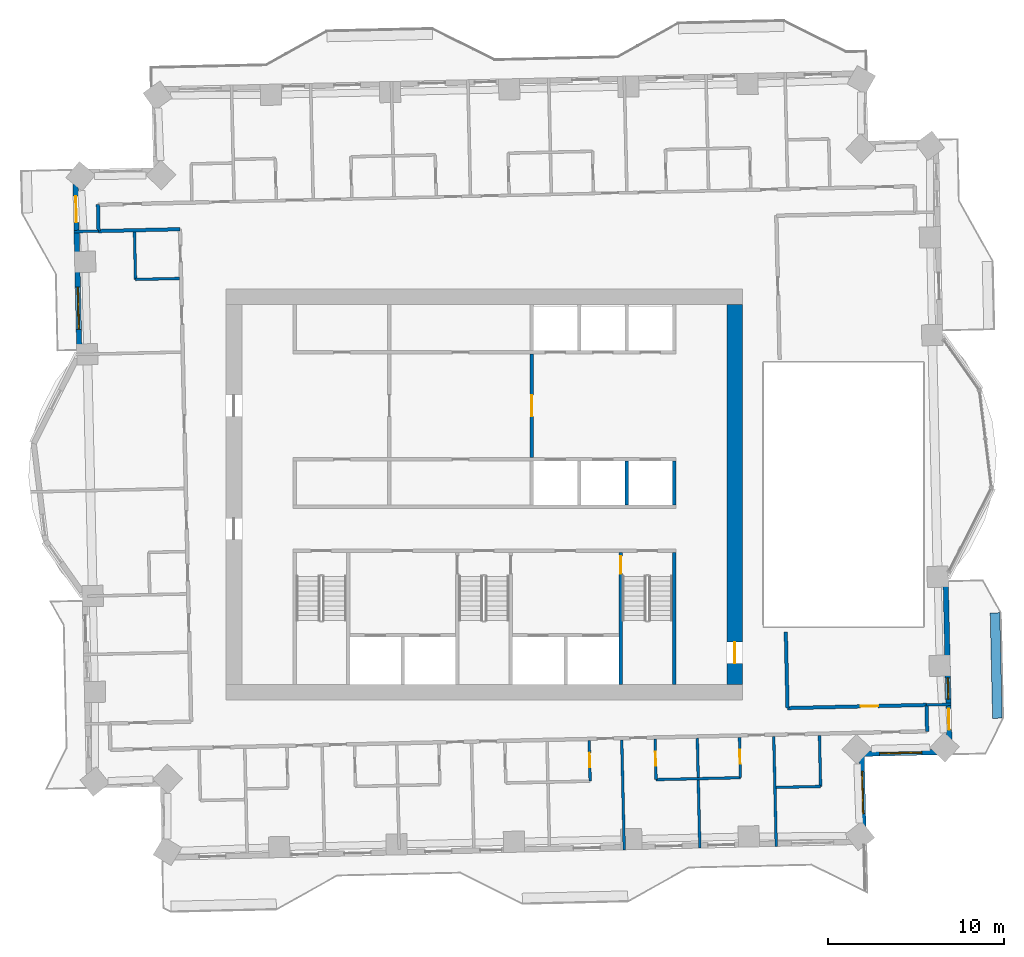
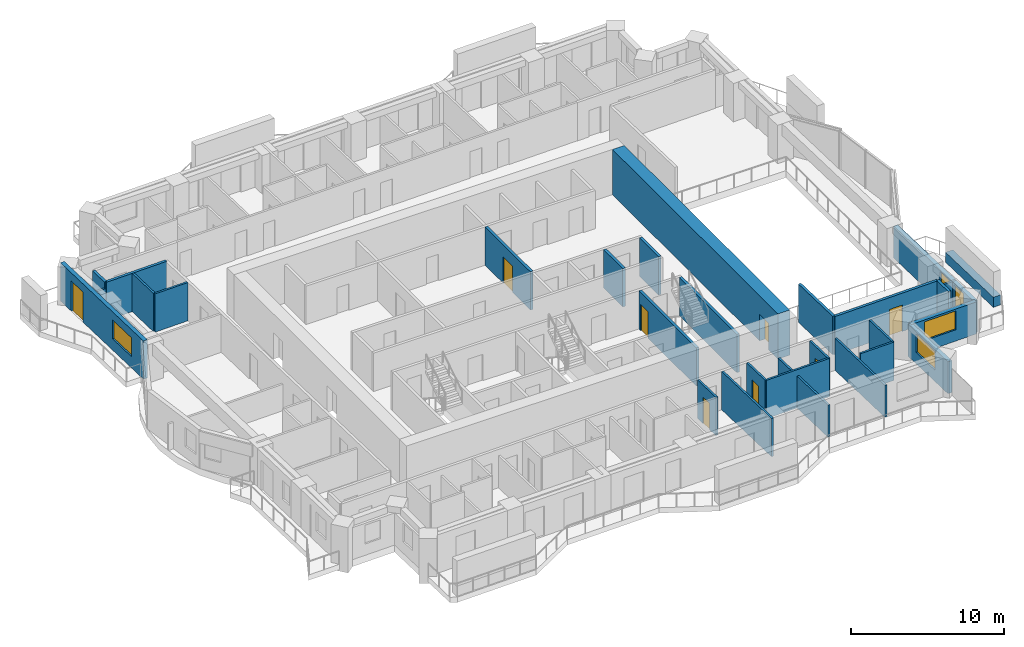
# One storey, part 9 of 16: 29 walls, 9 doors, 4 windows, 13 openings.
"""IFC4 building model written with IfcOpenShell, lengths in metres."""

import ifcopenshell
import ifcopenshell.guid

model = None  # the IFC model being written
_history = None  # IfcOwnerHistory: only IFC2X3 demands one
_inside = {}  # id of a spatial element -> (the spatial element, [elements in it])
_under = {}  # id of a project, library or spatial element -> (it, [spatial elements below it])
_declared = {}  # id of a project -> (the project, [libraries it declares])
_typed = {}  # id of a type object -> (the type object, [elements of that type])
_made_of = {}  # id of a material, layer set ... -> (it, [elements and type objects made of it])


def new_model(schema):
    """Start an empty IFC model of exactly this schema.

    Asked for "IFC4X3", IfcOpenShell would pick the latest addendum, in which some entities
    have other attributes; the version numbers below select the first issue.
    IFC2X3 requires an IfcOwnerHistory on every rooted entity: one is made here for all.
    """
    global model, _history
    if schema == "IFC4X3":
        model = ifcopenshell.file(schema_version=(4, 3, 0, 0))
    else:
        model = ifcopenshell.file(schema=schema)
    _inside.clear()
    _under.clear()
    _declared.clear()
    _typed.clear()
    _made_of.clear()
    _history = None
    if model.schema == "IFC2X3":
        org = make("IfcOrganization", Name="unknown")
        user = make(
            "IfcPersonAndOrganization",
            ThePerson=make("IfcPerson", FamilyName="unknown"),
            TheOrganization=org,
        )
        app = make(
            "IfcApplication",
            ApplicationDeveloper=org,
            Version="unknown",
            ApplicationFullName="unknown",
            ApplicationIdentifier="unknown",
        )
        _history = make(
            "IfcOwnerHistory",
            OwningUser=user,
            OwningApplication=app,
            ChangeAction="ADDED",
            CreationDate=0,
        )
    return model


def make(cls, **values):
    """One entity of the class cls with the attributes given. An attribute that is None is left unset."""
    return model.create_entity(
        cls, **{name: value for name, value in values.items() if value is not None}
    )


def rooted(cls, **values):
    """An entity with a GlobalId (a new one), such as an element, a storey or a relation."""
    return make(cls, GlobalId=ifcopenshell.guid.new(), OwnerHistory=_history, **values)


def si_unit(unit_type, name, prefix=None):
    """IfcSIUnit, for example si_unit("LENGTHUNIT", "METRE", prefix="MILLI")."""
    return make("IfcSIUnit", UnitType=unit_type, Prefix=prefix, Name=name)


def assignment(units):
    """IfcUnitAssignment: the units of a project."""
    return None if units is None else make("IfcUnitAssignment", Units=units)


def point(xyz):
    """IfcCartesianPoint."""
    return None if xyz is None else make("IfcCartesianPoint", Coordinates=xyz)


def direction(xyz):
    """IfcDirection."""
    return None if xyz is None else make("IfcDirection", DirectionRatios=xyz)


def frame(location, z_axis=None, x_axis=None):
    """IfcAxis2Placement3D, a coordinate frame: its origin and axes. An axis left out is left unset."""
    return make(
        "IfcAxis2Placement3D",
        Location=point(location),
        Axis=direction(z_axis),
        RefDirection=direction(x_axis),
    )


def frame_2d(location, x_axis=None):
    """IfcAxis2Placement2D, a coordinate frame in the plane: its origin and x axis."""
    return make(
        "IfcAxis2Placement2D", Location=point(location), RefDirection=direction(x_axis)
    )


def origin():
    """The frame at (0, 0, 0) with its axes left unset."""
    return frame((0.0, 0.0, 0.0))


def place(relative_to, where):
    """IfcLocalPlacement: puts the frame where relative to a parent placement (None: the world)."""
    return make(
        "IfcLocalPlacement", PlacementRelTo=relative_to, RelativePlacement=where
    )


def context(
    kind, dimensions, precision=None, world=None, true_north=None, identifier=None
):
    """IfcGeometricRepresentationContext, for example the 3D "Model" context."""
    return make(
        "IfcGeometricRepresentationContext",
        ContextIdentifier=identifier,
        ContextType=kind,
        CoordinateSpaceDimension=dimensions,
        Precision=precision,
        WorldCoordinateSystem=world,
        TrueNorth=true_north,
    )


def subcontext(parent, identifier, kind, view, scale=None):
    """IfcGeometricRepresentationSubContext, for example "Body" below "Model"."""
    return make(
        "IfcGeometricRepresentationSubContext",
        ContextIdentifier=identifier,
        ContextType=kind,
        ParentContext=parent,
        TargetScale=scale,
        TargetView=view,
    )


def project(units=None, contexts=None):
    """IfcProject with its units and contexts."""
    return rooted(
        "IfcProject",
        Name="project",
        RepresentationContexts=contexts,
        UnitsInContext=assignment(units),
    )


def spatial(cls, under=None, at=None, **own):
    """A site, building, storey or space (cls), placed at a placement, below another one or the project."""
    s = rooted(cls, ObjectPlacement=at, **own)
    if under is not None:
        _under.setdefault(under.id(), (under, []))[1].append(s)
    return s


def profile(cls, at=None, kind="AREA", **sizes):
    """A parametric profile (cls). Its sizes go by their IFC names, for example OverallWidth=200.0."""
    return make(cls, ProfileType=kind, Position=at, **sizes)


def rectangle(**sizes):
    """IfcRectangleProfileDef."""
    return profile("IfcRectangleProfileDef", **sizes)


def extrude(swept, where, along, depth):
    """IfcExtrudedAreaSolid: the profile swept, set in the frame where, extruded along a direction by depth."""
    return make(
        "IfcExtrudedAreaSolid",
        SweptArea=swept,
        Position=where,
        ExtrudedDirection=direction(along),
        Depth=depth,
    )


def shape(context_of_items, identifier, shape_type, items):
    """IfcShapeRepresentation: the items that make up one representation, for example the "Body"."""
    return make(
        "IfcShapeRepresentation",
        ContextOfItems=context_of_items,
        RepresentationIdentifier=identifier,
        RepresentationType=shape_type,
        Items=items,
    )


def material(Name=None, Category=None):
    """IfcMaterial."""
    return make("IfcMaterial", Name=Name, Category=Category)


def layer(
    of_material, thickness, ventilated=None, Name=None, Category=None, Priority=None
):
    """IfcMaterialLayer: one layer of a wall or slab, of a material (None: an air gap)."""
    return make(
        "IfcMaterialLayer",
        Material=of_material,
        LayerThickness=thickness,
        IsVentilated=ventilated,
        Name=Name,
        Category=Category,
        Priority=Priority,
    )


def layer_set(layers, Name=None):
    """IfcMaterialLayerSet."""
    return make("IfcMaterialLayerSet", MaterialLayers=layers, LayerSetName=Name)


def made_of(thing, what):
    """Note that an element or type object is made of a material, layer set ...; save() writes the relation."""
    if what is not None:
        _made_of.setdefault(what.id(), (what, []))[1].append(thing)
    return thing


def type_object(cls, material=None, **own):
    """A type object (cls), such as IfcWallType, which elements share."""
    return made_of(rooted(cls, **own), material)


def element(
    cls,
    number,
    at=None,
    inside=None,
    cuts=None,
    type_object=None,
    material=None,
    context=None,
    identifier="Body",
    shape_type=None,
    held_by="IfcProductDefinitionShape",
    body=None,
    shapes=None,
    **own,
):
    """One element of the class cls, such as IfcWall. Its Tag is "e" and its number.

    at: its placement. inside: the storey or other place that contains it. cuts: it is an
    opening in that element (IfcRelVoidsElement). A single representation is given by context,
    identifier, shape_type and body (its items); several are given by shapes. held_by: the class
    of the entity that holds the representations. save() writes the other relations.
    """
    e = rooted(cls, Tag="e%d" % number, ObjectPlacement=at, **own)
    if body is not None:
        shapes = [shape(context, identifier, shape_type, body)]
    if shapes is not None:
        e.Representation = make(held_by, Representations=shapes)
    if inside is not None:
        _inside.setdefault(inside.id(), (inside, []))[1].append(e)
    if cuts is not None:
        rooted(
            "IfcRelVoidsElement", RelatingBuildingElement=cuts, RelatedOpeningElement=e
        )
    if type_object is not None:
        _typed.setdefault(type_object.id(), (type_object, []))[1].append(e)
    return made_of(e, material)


def fill(opening, filler):
    """IfcRelFillsElement: the door or window that sits in an opening."""
    return rooted(
        "IfcRelFillsElement",
        RelatingOpeningElement=opening,
        RelatedBuildingElement=filler,
    )


def aggregate(whole, parts):
    """IfcRelAggregates: a whole, such as a stair, and the parts it consists of."""
    return rooted("IfcRelAggregates", RelatingObject=whole, RelatedObjects=parts)


def save(model, path):
    """Write the relations noted so far, then the file.

    IfcRelAggregates (storeys below a building ...), IfcRelContainedInSpatialStructure (elements
    in a storey), IfcRelDefinesByType, IfcRelAssociatesMaterial and IfcRelDeclares: one each for
    every whole, place, type object, material and project.
    """
    for whole, parts in _under.values():
        aggregate(whole, parts)
    for where, things in _inside.values():
        rooted(
            "IfcRelContainedInSpatialStructure",
            RelatedElements=things,
            RelatingStructure=where,
        )
    for kind, things in _typed.values():
        rooted("IfcRelDefinesByType", RelatedObjects=things, RelatingType=kind)
    for what, things in _made_of.values():
        rooted("IfcRelAssociatesMaterial", RelatedObjects=things, RelatingMaterial=what)
    for by, libraries in _declared.values():
        rooted("IfcRelDeclares", RelatingContext=by, RelatedDefinitions=libraries)
    model.write(path)


model = new_model("IFC4")

# Units and contexts
model_context = context("Model", 3, precision=1e-05, world=origin(), true_north=direction((0.0, 1.0)))
body_context = subcontext(model_context, "Body", "Model", "MODEL_VIEW")
ifc_project = project(units=[si_unit("LENGTHUNIT", "METRE"), si_unit("AREAUNIT", "SQUARE_METRE"), si_unit("VOLUMEUNIT", "CUBIC_METRE"), si_unit("PLANEANGLEUNIT", "RADIAN"), si_unit("MASSUNIT", "GRAM", prefix="KILO")], contexts=[model_context])

# Site, building, storey
site_placement = place(None, origin())
site = spatial("IfcSite", under=ifc_project, at=site_placement, CompositionType="ELEMENT")
building_placement = place(site_placement, origin())
building = spatial("IfcBuilding", under=site, at=building_placement, Name="Mangrove Gate Tower", CompositionType="ELEMENT")
storey_placement = place(building_placement, frame((0.0, 0.0, 175.300048828125)))
storey = spatial("IfcBuildingStorey", under=building, at=storey_placement, Name="L44", CompositionType="ELEMENT", Elevation=175.300048828125)

# Wall, opening, door
ifc_material_1 = material(Name="Concrete C32/40", Category="concrete")
ifc_layer_1 = layer(ifc_material_1, 0.199951171875)
ifc_layer_set_1 = layer_set([ifc_layer_1], Name="Core lobby wall 200 C32/40")
wall_type_1 = type_object("IfcWallType", Name="Core lobby wall 200 C32/40", PredefinedType="STANDARD", material=ifc_layer_set_1)
wall_1_placement = place(storey_placement, frame((2.699951171875, 2.10009765625, 0.0), z_axis=(0.0, 0.0, 1.0), x_axis=(0.0, 1.0, 0.0)))
wall_1 = element("IfcWall", 1, at=wall_1_placement, inside=storey, type_object=wall_type_1, Name="WALL-L44-CORE-32", PredefinedType="STANDARD", context=body_context, shape_type="SweptSolid", body=[
    extrude(rectangle(XDim=5.89990234375, YDim=0.199951171875, at=frame_2d((2.949951171875, 0.0))), origin(), (0.0, 0.0, 1.0), 3.050048828125),
])
opening_1_placement = place(wall_1_placement, frame((2.35009765625, 0.0, 0.0)))
opening_1 = element("IfcOpeningElement", 2, at=opening_1_placement, cuts=wall_1, Name="Opening FL12", PredefinedType="OPENING", context=body_context, shape_type="SweptSolid", body=[
    extrude(rectangle(XDim=1.199951171875, YDim=2.10009765625, at=frame_2d((0.60009765625, 1.050048828125))), frame((0.0, 0.10986328125, 0.0), z_axis=(0.0, -1.0, 0.0), x_axis=(1.0, 0.0, 0.0)), (0.0, 0.0, 1.0), 0.219970703125),
])
ifc_material_2 = material(Name="Fire-rated steel door set", Category="steel")
door_type_1 = type_object("IfcDoorType", Name="Lobby door FD60 1200x2100", OperationType="SINGLE_SWING_LEFT", PredefinedType="DOOR", material=ifc_material_2)
door_1_placement = place(opening_1_placement, origin())
door_1 = element("IfcDoor", 3, at=door_1_placement, inside=storey, type_object=door_type_1, Name="Lobby door lift lobby partition", OperationType="SINGLE_SWING_LEFT", OverallHeight=2.10009765625, OverallWidth=1.199951171875, PredefinedType="DOOR", context=body_context, shape_type="SweptSolid", body=[
    extrude(rectangle(XDim=1.199951171875, YDim=2.10009765625, at=frame_2d((0.60009765625, 1.050048828125))), frame((0.0, 0.02490234375, 0.0), z_axis=(0.0, -1.0, 0.0), x_axis=(1.0, 0.0, 0.0)), (0.0, 0.0, 1.0), 0.050048828125),
])
fill(opening_1, door_1)

# Walls
ifc_material_3 = material(Name="Concrete C60/75", Category="concrete")
ifc_layer_2 = layer(ifc_material_3, 0.199951171875)
ifc_layer_set_2 = layer_set([ifc_layer_2], Name="Core shaft wall 200 C60/75")
wall_type_2 = type_object("IfcWallType", Name="Core shaft wall 200 C60/75", PredefinedType="SHEAR", material=ifc_layer_set_2)
for number, where, z_axis, x_axis, name in (
    (4, (8.10009765625, -0.60009765625, 0.0), (0.0, 0.0, 1.0), (0.0, 1.0, 0.0), "WALL-L44-CORE-23"),
    (5, (10.800048828125, -0.60009765625, 0.0), (0.0, 0.0, 1.0), (0.0, 1.0, 0.0), "WALL-L44-CORE-24"),
):
    element("IfcWall", number, at=place(storey_placement, frame(where, z_axis=z_axis, x_axis=x_axis)), inside=storey, type_object=wall_type_2, Name=name, PredefinedType="SHEAR", context=body_context, shape_type="SweptSolid", body=[
        extrude(rectangle(XDim=2.5, YDim=0.199951171875, at=frame_2d((1.25, 0.0))), origin(), (0.0, 0.0, 1.0), 3.050048828125),
    ])

# Wall, opening, door
ifc_material_4 = material(Name="Concrete C60/75", Category="concrete")
ifc_layer_3 = layer(ifc_material_4, 0.199951171875)
ifc_layer_set_3 = layer_set([ifc_layer_3], Name="Core stair wall 200 C60/75")
wall_type_3 = type_object("IfcWallType", Name="Core stair wall 200 C60/75", PredefinedType="SHEAR", material=ifc_layer_set_3)
wall_2_placement = place(storey_placement, frame((7.75, -10.800048828125, 0.0), z_axis=(0.0, 0.0, 1.0), x_axis=(0.0, 1.0, 0.0)))
wall_2 = element("IfcWall", 6, at=wall_2_placement, inside=storey, type_object=wall_type_3, Name="WALL-L44-CORE-13", PredefinedType="SHEAR", context=body_context, shape_type="SweptSolid", body=[
    extrude(rectangle(XDim=7.5, YDim=0.199951171875, at=frame_2d((3.75, 0.0))), origin(), (0.0, 0.0, 1.0), 3.050048828125),
])
opening_2_placement = place(wall_2_placement, frame((6.300048828125, 0.0, 0.0)))
opening_2 = element("IfcOpeningElement", 7, at=opening_2_placement, cuts=wall_2, Name="Opening STD10", PredefinedType="OPENING", context=body_context, shape_type="SweptSolid", body=[
    extrude(rectangle(XDim=1.0, YDim=2.10009765625, at=frame_2d((0.5, 1.050048828125))), frame((0.0, 0.10986328125, 0.0), z_axis=(0.0, -1.0, 0.0), x_axis=(1.0, 0.0, 0.0)), (0.0, 0.0, 1.0), 0.219970703125),
])
ifc_material_5 = material(Name="Fire-rated steel door set", Category="steel")
door_type_2 = type_object("IfcDoorType", Name="Stair door FD60 1000x2100", OperationType="SINGLE_SWING_RIGHT", PredefinedType="DOOR", material=ifc_material_5)
door_2_placement = place(opening_2_placement, origin())
door_2 = element("IfcDoor", 8, at=door_2_placement, inside=storey, type_object=door_type_2, Name="Stair door Stair 3 from fire-fighting lobby", OperationType="SINGLE_SWING_RIGHT", OverallHeight=2.10009765625, OverallWidth=1.0, PredefinedType="DOOR", context=body_context, shape_type="SweptSolid", body=[
    extrude(rectangle(XDim=1.0, YDim=2.10009765625, at=frame_2d((0.5, 1.050048828125))), frame((0.0, 0.02490234375, 0.0), z_axis=(0.0, -1.0, 0.0), x_axis=(1.0, 0.0, 0.0)), (0.0, 0.0, 1.0), 0.050048828125),
])
fill(opening_2, door_2)

# Wall
wall_3_placement = place(storey_placement, frame((10.800048828125, -10.800048828125, 0.0), z_axis=(0.0, 0.0, 1.0), x_axis=(0.0, 1.0, 0.0)))
element("IfcWall", 9, at=wall_3_placement, inside=storey, type_object=wall_type_3, Name="WALL-L44-CORE-14", PredefinedType="SHEAR", context=body_context, shape_type="SweptSolid", body=[
    extrude(rectangle(XDim=7.5, YDim=0.199951171875, at=frame_2d((3.75, 0.0))), origin(), (0.0, 0.0, 1.0), 3.050048828125),
])

# Wall, opening, door
ifc_material_6 = material(Name="Concrete C60/75", Category="concrete")
ifc_layer_4 = layer(ifc_material_6, 0.89990234375)
ifc_layer_set_4 = layer_set([ifc_layer_4], Name="Core wall 900 C60/75")
wall_type_4 = type_object("IfcWallType", Name="Core wall 900 C60/75", PredefinedType="SHEAR", material=ifc_layer_set_4)
wall_4_placement = place(storey_placement, frame((14.25, -10.800048828125, 0.0), z_axis=(0.0, 0.0, 1.0), x_axis=(0.0, 1.0, 0.0)))
wall_4 = element("IfcWall", 10, at=wall_4_placement, inside=storey, type_object=wall_type_4, Name="WALL-L44-CORE-4", PredefinedType="SHEAR", context=body_context, shape_type="SweptSolid", body=[
    extrude(rectangle(XDim=21.60009765625, YDim=0.89990234375, at=frame_2d((10.800048828125, 0.0))), origin(), (0.0, 0.0, 1.0), 3.599853515625),
])
opening_3_placement = place(wall_4_placement, frame((1.199951171875, 0.0, 0.0)))
opening_3 = element("IfcOpeningElement", 11, at=opening_3_placement, cuts=wall_4, Name="Opening CD", PredefinedType="OPENING", context=body_context, shape_type="SweptSolid", body=[
    extrude(rectangle(XDim=1.199951171875, YDim=2.10009765625, at=frame_2d((0.60009765625, 1.050048828125))), frame((0.0, 0.4599609375, 0.0), z_axis=(0.0, -1.0, 0.0), x_axis=(1.0, 0.0, 0.0)), (0.0, 0.0, 1.0), 0.919921875),
])
ifc_material_7 = material(Name="Fire-rated steel door set", Category="steel")
door_type_3 = type_object("IfcDoorType", Name="Core ring door FD60 1200x2100", OperationType="DOUBLE_DOOR_SINGLE_SWING", PredefinedType="DOOR", material=ifc_material_7)
door_3_placement = place(opening_3_placement, origin())
door_3 = element("IfcDoor", 12, at=door_3_placement, inside=storey, type_object=door_type_3, Name="Core ring door E1", OperationType="DOUBLE_DOOR_SINGLE_SWING", OverallHeight=2.10009765625, OverallWidth=1.199951171875, PredefinedType="DOOR", context=body_context, shape_type="SweptSolid", body=[
    extrude(rectangle(XDim=1.199951171875, YDim=2.10009765625, at=frame_2d((0.60009765625, 1.050048828125))), frame((0.0, 0.02490234375, 0.0), z_axis=(0.0, -1.0, 0.0), x_axis=(1.0, 0.0, 0.0)), (0.0, 0.0, 1.0), 0.050048828125),
])
fill(opening_3, door_3)

# Walls
ifc_material_8 = material(Name="Gypsum board on steel stud, EI 60", Category="steel")
ifc_layer_5 = layer(ifc_material_8, 0.199951171875)
ifc_layer_set_5 = layer_set([ifc_layer_5], Name="Corridor wall EI 60")
wall_type_5 = type_object("IfcWallType", Name="Corridor wall EI 60", PredefinedType="PARTITIONING", material=ifc_layer_set_5)
wall_5_placement = place(storey_placement, frame((25.18896484375, -13.468994140625, 0.0), z_axis=(0.0, 0.0, 1.0), x_axis=(-0.022617910375, 0.999744182344, 0.0)))
element("IfcWall", 13, at=wall_5_placement, inside=storey, type_object=wall_type_5, Name="WALL-L44-026", PredefinedType="PARTITIONING", context=body_context, shape_type="SweptSolid", body=[
    extrude(rectangle(XDim=1.50048828125, YDim=0.199951171875, at=frame_2d((0.750244140625, 0.0))), origin(), (0.0, 0.0, 1.0), 3.050048828125),
])
wall_6_placement = place(storey_placement, frame((17.2470703125, -12.14892578125, 0.0), z_axis=(0.0, 0.0, 1.0), x_axis=(-0.022729111383, 0.999741660378, 0.0)))
element("IfcWall", 14, at=wall_6_placement, inside=storey, type_object=wall_type_5, Name="WALL-L44-030", PredefinedType="PARTITIONING", context=body_context, shape_type="SweptSolid", body=[
    extrude(rectangle(XDim=4.318115234375, YDim=0.199951171875, at=frame_2d((2.1591796875, 0.0))), origin(), (0.0, 0.0, 1.0), 3.050048828125),
])

# Wall, opening, door
wall_7_placement = place(storey_placement, frame((17.248046875, -12.14892578125, 0.0), z_axis=(0.0, 0.0, 1.0), x_axis=(0.999741181744, 0.022750154412, 0.0)))
wall_7 = element("IfcWall", 15, at=wall_7_placement, inside=storey, type_object=wall_type_5, Name="WALL-L44-031", PredefinedType="PARTITIONING", context=body_context, shape_type="SweptSolid", body=[
    extrude(rectangle(XDim=7.908935546875, YDim=0.199951171875, at=frame_2d((3.95458984375, 0.0))), origin(), (0.0, 0.0, 1.0), 3.050048828125),
])
opening_4_placement = place(wall_7_placement, frame((4.155029296875, 0.0, 0.0)))
opening_4 = element("IfcOpeningElement", 16, at=opening_4_placement, cuts=wall_7, Name="Opening AD", PredefinedType="OPENING", context=body_context, shape_type="SweptSolid", body=[
    extrude(rectangle(XDim=1.0, YDim=2.10009765625, at=frame_2d((0.5, 1.050048828125))), frame((0.0, 0.10986328125, 0.0), z_axis=(0.0, -1.0, 0.0), x_axis=(1.0, 0.0, 0.0)), (0.0, 0.0, 1.0), 0.219970703125),
])
ifc_material_9 = material(Name="Timber door leaf", Category="wood")
door_type_4 = type_object("IfcDoorType", Name="Amenity door 1000", OperationType="SINGLE_SWING_LEFT", PredefinedType="DOOR", material=ifc_material_9)
door_4_placement = place(opening_4_placement, origin())
door_4 = element("IfcDoor", 17, at=door_4_placement, inside=storey, type_object=door_type_4, Name="DOOR-L44-LNG-c3b", OperationType="SINGLE_SWING_LEFT", OverallHeight=2.10009765625, OverallWidth=1.0, PredefinedType="DOOR", context=body_context, shape_type="SweptSolid", body=[
    extrude(rectangle(XDim=1.0, YDim=2.10009765625, at=frame_2d((0.5, 1.050048828125))), frame((0.0, 0.02490234375, 0.0), z_axis=(0.0, -1.0, 0.0), x_axis=(1.0, 0.0, 0.0)), (0.0, 0.0, 1.0), 0.050048828125),
])
fill(opening_4, door_4)

# Walls
wall_8_placement = place(storey_placement, frame((-21.948974609375, 14.989013671875, 0.0), z_axis=(0.0, 0.0, 1.0), x_axis=(0.999743491588, 0.022648422179, 0.0)))
element("IfcWall", 18, at=wall_8_placement, inside=storey, type_object=wall_type_5, Name="WALL-L44-043", PredefinedType="PARTITIONING", context=body_context, shape_type="SweptSolid", body=[
    extrude(rectangle(XDim=4.63525390625, YDim=0.199951171875, at=frame_2d((2.317626953125, 0.0))), origin(), (0.0, 0.0, 1.0), 3.050048828125),
])
wall_9_placement = place(storey_placement, frame((-21.948974609375, 14.992919921875, 0.0), z_axis=(0.0, 0.0, 1.0), x_axis=(-0.022617910375, 0.999744182344, 0.0)))
element("IfcWall", 19, at=wall_9_placement, inside=storey, type_object=wall_type_5, Name="WALL-L44-046", PredefinedType="PARTITIONING", context=body_context, shape_type="SweptSolid", body=[
    extrude(rectangle(XDim=1.50048828125, YDim=0.199951171875, at=frame_2d((0.750244140625, 0.0))), origin(), (0.0, 0.0, 1.0), 3.050048828125),
])

# Wall, openings, door, window
ifc_material_10 = material(Name="Limestone", Category="masonry")
ifc_layer_6 = layer(ifc_material_10, 0.0400390625, Name="Limestone cladding")
ifc_material_11 = material(Name="Ventilated air gap")
ifc_layer_7 = layer(ifc_material_11, 0.0400390625, Name="Ventilated cavity")
ifc_material_12 = material(Name="Mineral wool insulation")
ifc_layer_8 = layer(ifc_material_12, 0.06005859375, Name="Insulation")
ifc_material_13 = material(Name="Breather membrane")
ifc_layer_9 = layer(ifc_material_13, 0.001953125, Name="Breather membrane")
ifc_material_14 = material(Name="Concrete C20/25 blockwork", Category="masonry")
ifc_layer_10 = layer(ifc_material_14, 0.14990234375, Name="Blockwork backing wall")
ifc_material_15 = material(Name="Gypsum plaster")
ifc_layer_11 = layer(ifc_material_15, 0.008056640625, Name="Internal plaster")
ifc_layer_set_6 = layer_set([ifc_layer_6, ifc_layer_7, ifc_layer_8, ifc_layer_9, ifc_layer_10, ifc_layer_11], Name="External wall 300 limestone cladding")
wall_type_6 = type_object("IfcWallType", Name="External wall 300 limestone cladding", PredefinedType="SOLIDWALL", material=ifc_layer_set_6)
wall_10_placement = place(storey_placement, frame((26.466064453125, -14.639892578125, 0.0), z_axis=(0.0, 0.0, 1.0), x_axis=(-0.022735782058, 0.999741508698, 0.0)))
wall_10 = element("IfcWall", 20, at=wall_10_placement, inside=storey, type_object=wall_type_6, Name="WALL-L44-E0", PredefinedType="SOLIDWALL", context=body_context, shape_type="SweptSolid", body=[
    extrude(rectangle(XDim=10.029541015625, YDim=0.300048828125, at=frame_2d((5.0146484375, 0.0))), origin(), (0.0, 0.0, 1.0), 2.550048828125),
])
opening_5_placement = place(wall_10_placement, frame((1.260009765625, 0.0, 0.0)))
opening_5 = element("IfcOpeningElement", 21, at=opening_5_placement, cuts=wall_10, Name="Opening BD2", PredefinedType="OPENING", context=body_context, shape_type="SweptSolid", body=[
    extrude(rectangle(XDim=1.199951171875, YDim=2.39990234375, at=frame_2d((0.60009765625, 1.199951171875))), frame((0.0, 0.159912109375, 0.0), z_axis=(0.0, -1.0, 0.0), x_axis=(1.0, 0.0, 0.0)), (0.0, 0.0, 1.0), 0.320068359375),
])
opening_6_placement = place(wall_10_placement, frame((3.006103515625, 0.0, 0.89990234375)))
opening_6 = element("IfcOpeningElement", 22, at=opening_6_placement, cuts=wall_10, Name="Opening W1", PredefinedType="OPENING", context=body_context, shape_type="SweptSolid", body=[
    extrude(rectangle(XDim=1.199951171875, YDim=1.5, at=frame_2d((0.60009765625, 0.75))), frame((0.0, 0.159912109375, 0.0), z_axis=(0.0, -1.0, 0.0), x_axis=(1.0, 0.0, 0.0)), (0.0, 0.0, 1.0), 0.320068359375),
])
ifc_material_16 = material(Name="Aluminium frame with laminated clear glass", Category="aluminium")
door_type_5 = type_object("IfcDoorType", Name="Balcony sliding door 1200x2400", OperationType="SLIDING_TO_LEFT", PredefinedType="DOOR", material=ifc_material_16)
door_5_placement = place(opening_5_placement, origin())
door_5 = element("IfcDoor", 23, at=door_5_placement, inside=storey, type_object=door_type_5, Name="DOOR-L44-E0-1", OperationType="SLIDING_TO_LEFT", OverallHeight=2.39990234375, OverallWidth=1.199951171875, PredefinedType="DOOR", context=body_context, shape_type="SweptSolid", body=[
    extrude(rectangle(XDim=1.199951171875, YDim=2.39990234375, at=frame_2d((0.60009765625, 1.199951171875))), frame((0.0, 0.02490234375, 0.0), z_axis=(0.0, -1.0, 0.0), x_axis=(1.0, 0.0, 0.0)), (0.0, 0.0, 1.0), 0.050048828125),
])
fill(opening_5, door_5)
ifc_material_17 = material(Name="Aluminium frame with double-glazed low-e glass", Category="aluminium")
window_type_1 = type_object("IfcWindowType", Name="Side lite 1200x1500", PartitioningType="SINGLE_PANEL", PredefinedType="WINDOW", material=ifc_material_17)
window_1_placement = place(opening_6_placement, origin())
window_1 = element("IfcWindow", 24, at=window_1_placement, inside=storey, type_object=window_type_1, Name="WIN-L44-E0-2", OverallHeight=1.5, OverallWidth=1.199951171875, PartitioningType="SINGLE_PANEL", PredefinedType="WINDOW", context=body_context, shape_type="SweptSolid", body=[
    extrude(rectangle(XDim=1.199951171875, YDim=1.5, at=frame_2d((0.60009765625, 0.75))), frame((0.0, 0.030029296875, 0.0), z_axis=(0.0, -1.0, 0.0), x_axis=(1.0, 0.0, 0.0)), (0.0, 0.0, 1.0), 0.06005859375),
])
fill(opening_6, window_1)

wall_11_placement = place(storey_placement, frame((-23.27490234375, 18.340087890625, 0.0), z_axis=(0.0, 0.0, 1.0), x_axis=(0.022705985163, -0.999742185885, 0.0)))
wall_11 = element("IfcWall", 25, at=wall_11_placement, inside=storey, type_object=wall_type_6, Name="WALL-L44-W8", PredefinedType="SOLIDWALL", context=body_context, shape_type="SweptSolid", body=[
    extrude(rectangle(XDim=10.4296875, YDim=0.300048828125, at=frame_2d((5.21484375, 0.0))), origin(), (0.0, 0.0, 1.0), 3.050048828125),
])
opening_7_placement = place(wall_11_placement, frame((1.35888671875, 0.0, 0.0)))
opening_7 = element("IfcOpeningElement", 26, at=opening_7_placement, cuts=wall_11, Name="Opening BD1", PredefinedType="OPENING", context=body_context, shape_type="SweptSolid", body=[
    extrude(rectangle(XDim=1.5, YDim=2.39990234375, at=frame_2d((0.75, 1.199951171875))), frame((0.0, 0.159912109375, 0.0), z_axis=(0.0, -1.0, 0.0), x_axis=(1.0, 0.0, 0.0)), (0.0, 0.0, 1.0), 0.320068359375),
])
opening_8_placement = place(wall_11_placement, frame((6.54296875, 0.0, 0.89990234375)))
opening_8 = element("IfcOpeningElement", 27, at=opening_8_placement, cuts=wall_11, Name="Opening W2", PredefinedType="OPENING", context=body_context, shape_type="SweptSolid", body=[
    extrude(rectangle(XDim=2.39990234375, YDim=1.5, at=frame_2d((1.199951171875, 0.75))), frame((0.0, 0.159912109375, 0.0), z_axis=(0.0, -1.0, 0.0), x_axis=(1.0, 0.0, 0.0)), (0.0, 0.0, 1.0), 0.320068359375),
])
ifc_material_18 = material(Name="Aluminium frame with laminated clear glass", Category="aluminium")
door_type_6 = type_object("IfcDoorType", Name="Balcony sliding door 1500x2400", OperationType="SLIDING_TO_LEFT", PredefinedType="DOOR", material=ifc_material_18)
door_6_placement = place(opening_7_placement, origin())
door_6 = element("IfcDoor", 28, at=door_6_placement, inside=storey, type_object=door_type_6, Name="DOOR-L44-W8-1", OperationType="SLIDING_TO_LEFT", OverallHeight=2.39990234375, OverallWidth=1.5, PredefinedType="DOOR", context=body_context, shape_type="SweptSolid", body=[
    extrude(rectangle(XDim=1.5, YDim=2.39990234375, at=frame_2d((0.75, 1.199951171875))), frame((0.0, 0.02490234375, 0.0), z_axis=(0.0, -1.0, 0.0), x_axis=(1.0, 0.0, 0.0)), (0.0, 0.0, 1.0), 0.050048828125),
])
fill(opening_7, door_6)
ifc_material_19 = material(Name="Aluminium frame with double-glazed low-e glass", Category="aluminium")
window_type_2 = type_object("IfcWindowType", Name="Corner room window 2400x1500", PartitioningType="DOUBLE_PANEL_VERTICAL", PredefinedType="WINDOW", material=ifc_material_19)
window_2_placement = place(opening_8_placement, origin())
window_2 = element("IfcWindow", 29, at=window_2_placement, inside=storey, type_object=window_type_2, Name="WIN-L44-W8-2", OverallHeight=1.5, OverallWidth=2.39990234375, PartitioningType="DOUBLE_PANEL_VERTICAL", PredefinedType="WINDOW", context=body_context, shape_type="SweptSolid", body=[
    extrude(rectangle(XDim=2.39990234375, YDim=1.5, at=frame_2d((1.199951171875, 0.75))), frame((0.0, 0.030029296875, 0.0), z_axis=(0.0, -1.0, 0.0), x_axis=(1.0, 0.0, 0.0)), (0.0, 0.0, 1.0), 0.06005859375),
])
fill(opening_8, window_2)

# Wall, opening, window
wall_12_placement = place(storey_placement, frame((21.5810546875, -19.751953125, 0.0), z_axis=(0.0, 0.0, 1.0), x_axis=(-0.022801259434, 0.999740017489, 0.0)))
wall_12 = element("IfcWall", 30, at=wall_12_placement, inside=storey, type_object=wall_type_6, Name="WALL-L44-E14", PredefinedType="SOLIDWALL", context=body_context, shape_type="SweptSolid", body=[
    extrude(rectangle(XDim=5.000244140625, YDim=0.300048828125, at=frame_2d((2.5, 0.0))), origin(), (0.0, 0.0, 1.0), 2.550048828125),
])
opening_9_placement = place(wall_12_placement, frame((1.597900390625, 0.0, 0.89990234375)))
opening_9 = element("IfcOpeningElement", 31, at=opening_9_placement, cuts=wall_12, Name="Opening W2", PredefinedType="OPENING", context=body_context, shape_type="SweptSolid", body=[
    extrude(rectangle(XDim=2.39990234375, YDim=1.5, at=frame_2d((1.199951171875, 0.75))), frame((0.0, 0.159912109375, 0.0), z_axis=(0.0, -1.0, 0.0), x_axis=(1.0, 0.0, 0.0)), (0.0, 0.0, 1.0), 0.320068359375),
])
window_3_placement = place(opening_9_placement, origin())
window_3 = element("IfcWindow", 32, at=window_3_placement, inside=storey, type_object=window_type_2, Name="WIN-L44-E14-1", OverallHeight=1.5, OverallWidth=2.39990234375, PartitioningType="DOUBLE_PANEL_VERTICAL", PredefinedType="WINDOW", context=body_context, shape_type="SweptSolid", body=[
    extrude(rectangle(XDim=2.39990234375, YDim=1.5, at=frame_2d((1.199951171875, 0.75))), frame((0.0, 0.030029296875, 0.0), z_axis=(0.0, -1.0, 0.0), x_axis=(1.0, 0.0, 0.0)), (0.0, 0.0, 1.0), 0.06005859375),
])
fill(opening_9, window_3)

wall_13_placement = place(storey_placement, frame((21.467041015625, -14.7529296875, 0.0), z_axis=(0.0, 0.0, 1.0), x_axis=(0.999744450377, 0.022606059803, 0.0)))
wall_13 = element("IfcWall", 33, at=wall_13_placement, inside=storey, type_object=wall_type_6, Name="WALL-L44-S15", PredefinedType="SOLIDWALL", context=body_context, shape_type="SweptSolid", body=[
    extrude(rectangle(XDim=5.000244140625, YDim=0.300048828125, at=frame_2d((2.5, 0.0))), origin(), (0.0, 0.0, 1.0), 2.550048828125),
])
opening_10_placement = place(wall_13_placement, frame((1.02392578125, 0.0, 0.89990234375)))
opening_10 = element("IfcOpeningElement", 34, at=opening_10_placement, cuts=wall_13, Name="Opening W2", PredefinedType="OPENING", context=body_context, shape_type="SweptSolid", body=[
    extrude(rectangle(XDim=2.39990234375, YDim=1.5, at=frame_2d((1.199951171875, 0.75))), frame((0.0, 0.159912109375, 0.0), z_axis=(0.0, -1.0, 0.0), x_axis=(1.0, 0.0, 0.0)), (0.0, 0.0, 1.0), 0.320068359375),
])
window_4_placement = place(opening_10_placement, origin())
window_4 = element("IfcWindow", 35, at=window_4_placement, inside=storey, type_object=window_type_2, Name="WIN-L44-S15-1", OverallHeight=1.5, OverallWidth=2.39990234375, PartitioningType="DOUBLE_PANEL_VERTICAL", PredefinedType="WINDOW", context=body_context, shape_type="SweptSolid", body=[
    extrude(rectangle(XDim=2.39990234375, YDim=1.5, at=frame_2d((1.199951171875, 0.75))), frame((0.0, 0.030029296875, 0.0), z_axis=(0.0, -1.0, 0.0), x_axis=(1.0, 0.0, 0.0)), (0.0, 0.0, 1.0), 0.06005859375),
])
fill(opening_10, window_4)

# Walls
ifc_material_20 = material(Name="Gypsum board on steel stud, EI 60", Category="steel")
ifc_layer_12 = layer(ifc_material_20, 0.14990234375)
ifc_layer_set_7 = layer_set([ifc_layer_12], Name="Party wall 150 EI 60")
wall_type_7 = type_object("IfcWallType", Name="Party wall 150 EI 60", PredefinedType="PARTITIONING", material=ifc_layer_set_7)
wall_14_placement = place(storey_placement, frame((7.9580078125, -20.2109375, 0.0), z_axis=(0.0, 0.0, 1.0), x_axis=(-0.02273560333, 0.999741512763, 0.0)))
element("IfcWall", 36, at=wall_14_placement, inside=storey, type_object=wall_type_7, Name="WALL-L44-006", PredefinedType="PARTITIONING", context=body_context, shape_type="SweptSolid", body=[
    extrude(rectangle(XDim=6.249755859375, YDim=0.14990234375, at=frame_2d((3.125, 0.0))), origin(), (0.0, 0.0, 1.0), 3.050048828125),
])
wall_15_placement = place(storey_placement, frame((12.257080078125, -20.114013671875, 0.0), z_axis=(0.0, 0.0, 1.0), x_axis=(-0.022732052173, 0.999741593515, 0.0)))
element("IfcWall", 37, at=wall_15_placement, inside=storey, type_object=wall_type_7, Name="WALL-L44-007", PredefinedType="PARTITIONING", context=body_context, shape_type="SweptSolid", body=[
    extrude(rectangle(XDim=6.250732421875, YDim=0.14990234375, at=frame_2d((3.12548828125, 0.0))), origin(), (0.0, 0.0, 1.0), 2.550048828125),
])
wall_16_placement = place(storey_placement, frame((16.60498046875, -20.014892578125, 0.0), z_axis=(0.0, 0.0, 1.0), x_axis=(-0.022541260291, 0.999745913512, 0.0)))
element("IfcWall", 38, at=wall_16_placement, inside=storey, type_object=wall_type_7, Name="WALL-L44-008", PredefinedType="PARTITIONING", context=body_context, shape_type="SweptSolid", body=[
    extrude(rectangle(XDim=6.24951171875, YDim=0.14990234375, at=frame_2d((3.124755859375, 0.0))), origin(), (0.0, 0.0, 1.0), 2.550048828125),
])
wall_17_placement = place(storey_placement, frame((16.60400390625, -16.6640625, 0.0), z_axis=(0.0, 0.0, 1.0), x_axis=(0.999744126128, 0.022620395041, 0.0)))
element("IfcWall", 39, at=wall_17_placement, inside=storey, type_object=wall_type_7, Name="WALL-L44-011", PredefinedType="PARTITIONING", context=body_context, shape_type="SweptSolid", body=[
    extrude(rectangle(XDim=2.525634765625, YDim=0.14990234375, at=frame_2d((1.2626953125, 0.0))), origin(), (0.0, 0.0, 1.0), 3.050048828125),
])
wall_18_placement = place(storey_placement, frame((19.12890625, -16.60693359375, 0.0), z_axis=(0.0, 0.0, 1.0), x_axis=(-0.022732880677, 0.999741574676, 0.0)))
element("IfcWall", 40, at=wall_18_placement, inside=storey, type_object=wall_type_7, Name="WALL-L44-012", PredefinedType="PARTITIONING", context=body_context, shape_type="SweptSolid", body=[
    extrude(rectangle(XDim=2.899658203125, YDim=0.14990234375, at=frame_2d((1.44970703125, 0.0))), origin(), (0.0, 0.0, 1.0), 3.050048828125),
])

# Wall, opening, door
wall_19_placement = place(storey_placement, frame((6.01806640625, -16.303955078125, 0.0), z_axis=(0.0, 0.0, 1.0), x_axis=(-0.022612884682, 0.999744296031, 0.0)))
wall_19 = element("IfcWall", 41, at=wall_19_placement, inside=storey, type_object=wall_type_7, Name="WALL-L44-020", PredefinedType="PARTITIONING", context=body_context, shape_type="SweptSolid", body=[
    extrude(rectangle(XDim=2.299560546875, YDim=0.14990234375, at=frame_2d((1.14990234375, 0.0))), origin(), (0.0, 0.0, 1.0), 3.050048828125),
])
opening_11_placement = place(wall_19_placement, frame((0.800048828125, 0.0, 0.0)))
opening_11 = element("IfcOpeningElement", 42, at=opening_11_placement, cuts=wall_19, Name="Opening ED", PredefinedType="OPENING", context=body_context, shape_type="SweptSolid", body=[
    extrude(rectangle(XDim=0.800048828125, YDim=2.10009765625, at=frame_2d((0.39990234375, 1.050048828125))), frame((0.0, 0.0849609375, 0.0), z_axis=(0.0, -1.0, 0.0), x_axis=(1.0, 0.0, 0.0)), (0.0, 0.0, 1.0), 0.169921875),
])
ifc_material_21 = material(Name="Timber door leaf", Category="wood")
door_type_7 = type_object("IfcDoorType", Name="En-suite door 800", OperationType="SINGLE_SWING_LEFT", PredefinedType="DOOR", material=ifc_material_21)
door_7_placement = place(opening_11_placement, origin())
door_7 = element("IfcDoor", 43, at=door_7_placement, inside=storey, type_object=door_type_7, Name="DOOR-L44-ENS-c205", OperationType="SINGLE_SWING_LEFT", OverallHeight=2.10009765625, OverallWidth=0.800048828125, PredefinedType="DOOR", context=body_context, shape_type="SweptSolid", body=[
    extrude(rectangle(XDim=0.800048828125, YDim=2.10009765625, at=frame_2d((0.39990234375, 1.050048828125))), frame((0.0, 0.02490234375, 0.0), z_axis=(0.0, -1.0, 0.0), x_axis=(1.0, 0.0, 0.0)), (0.0, 0.0, 1.0), 0.050048828125),
])
fill(opening_11, door_7)

# Wall
wall_20_placement = place(storey_placement, frame((9.76806640625, -16.218994140625, 0.0), z_axis=(0.0, 0.0, 1.0), x_axis=(0.999742570398, 0.022689048768, 0.0)))
element("IfcWall", 44, at=wall_20_placement, inside=storey, type_object=wall_type_7, Name="WALL-L44-021", PredefinedType="PARTITIONING", context=body_context, shape_type="SweptSolid", body=[
    extrude(rectangle(XDim=4.799072265625, YDim=0.14990234375, at=frame_2d((2.3994140625, 0.0))), origin(), (0.0, 0.0, 1.0), 3.050048828125),
])

# Wall, opening, door
wall_21_placement = place(storey_placement, frame((9.76806640625, -16.218994140625, 0.0), z_axis=(0.0, 0.0, 1.0), x_axis=(-0.023037316498, 0.999734605807, 0.0)))
wall_21 = element("IfcWall", 45, at=wall_21_placement, inside=storey, type_object=wall_type_7, Name="WALL-L44-022", PredefinedType="PARTITIONING", context=body_context, shape_type="SweptSolid", body=[
    extrude(rectangle(XDim=2.299560546875, YDim=0.14990234375, at=frame_2d((1.14990234375, 0.0))), origin(), (0.0, 0.0, 1.0), 3.050048828125),
])
opening_12_placement = place(wall_21_placement, frame((0.800048828125, 0.0, 0.0)))
opening_12 = element("IfcOpeningElement", 46, at=opening_12_placement, cuts=wall_21, Name="Opening ED", PredefinedType="OPENING", context=body_context, shape_type="SweptSolid", body=[
    extrude(rectangle(XDim=0.800048828125, YDim=2.10009765625, at=frame_2d((0.39990234375, 1.050048828125))), frame((0.0, 0.0849609375, 0.0), z_axis=(0.0, -1.0, 0.0), x_axis=(1.0, 0.0, 0.0)), (0.0, 0.0, 1.0), 0.169921875),
])
door_8_placement = place(opening_12_placement, origin())
door_8 = element("IfcDoor", 47, at=door_8_placement, inside=storey, type_object=door_type_7, Name="DOOR-L44-ENS-c206", OperationType="SINGLE_SWING_RIGHT", OverallHeight=2.10009765625, OverallWidth=0.800048828125, PredefinedType="DOOR", context=body_context, shape_type="SweptSolid", body=[
    extrude(rectangle(XDim=0.800048828125, YDim=2.10009765625, at=frame_2d((0.39990234375, 1.050048828125))), frame((0.0, 0.02490234375, 0.0), z_axis=(0.0, -1.0, 0.0), x_axis=(1.0, 0.0, 0.0)), (0.0, 0.0, 1.0), 0.050048828125),
])
fill(opening_12, door_8)

wall_22_placement = place(storey_placement, frame((14.56591796875, -16.110107421875, 0.0), z_axis=(0.0, 0.0, 1.0), x_axis=(-0.022612884682, 0.999744296031, 0.0)))
wall_22 = element("IfcWall", 48, at=wall_22_placement, inside=storey, type_object=wall_type_7, Name="WALL-L44-023", PredefinedType="PARTITIONING", context=body_context, shape_type="SweptSolid", body=[
    extrude(rectangle(XDim=2.299560546875, YDim=0.14990234375, at=frame_2d((1.14990234375, 0.0))), origin(), (0.0, 0.0, 1.0), 3.050048828125),
])
opening_13_placement = place(wall_22_placement, frame((0.800048828125, 0.0, 0.0)))
opening_13 = element("IfcOpeningElement", 49, at=opening_13_placement, cuts=wall_22, Name="Opening ED", PredefinedType="OPENING", context=body_context, shape_type="SweptSolid", body=[
    extrude(rectangle(XDim=0.800048828125, YDim=2.10009765625, at=frame_2d((0.39990234375, 1.050048828125))), frame((0.0, 0.0849609375, 0.0), z_axis=(0.0, -1.0, 0.0), x_axis=(1.0, 0.0, 0.0)), (0.0, 0.0, 1.0), 0.169921875),
])
door_9_placement = place(opening_13_placement, origin())
door_9 = element("IfcDoor", 50, at=door_9_placement, inside=storey, type_object=door_type_7, Name="DOOR-L44-ENS-c307", OperationType="SINGLE_SWING_LEFT", OverallHeight=2.10009765625, OverallWidth=0.800048828125, PredefinedType="DOOR", context=body_context, shape_type="SweptSolid", body=[
    extrude(rectangle(XDim=0.800048828125, YDim=2.10009765625, at=frame_2d((0.39990234375, 1.050048828125))), frame((0.0, 0.02490234375, 0.0), z_axis=(0.0, -1.0, 0.0), x_axis=(1.0, 0.0, 0.0)), (0.0, 0.0, 1.0), 0.050048828125),
])
fill(opening_13, door_9)

# Walls
wall_23_placement = place(storey_placement, frame((25.15087890625, -11.968994140625, 0.0), z_axis=(0.0, 0.0, 1.0), x_axis=(0.999740667531, 0.022772739949, 0.0)))
element("IfcWall", 51, at=wall_23_placement, inside=storey, type_object=wall_type_7, Name="WALL-L44-032", PredefinedType="PARTITIONING", context=body_context, shape_type="SweptSolid", body=[
    extrude(rectangle(XDim=1.404296875, YDim=0.14990234375, at=frame_2d((0.7021484375, 0.0))), origin(), (0.0, 0.0, 1.0), 2.550048828125),
])
wall_24_placement = place(storey_placement, frame((-19.85107421875, 12.236083984375, 0.0), z_axis=(0.0, 0.0, 1.0), x_axis=(0.999741230352, 0.02274801823, 0.0)))
element("IfcWall", 52, at=wall_24_placement, inside=storey, type_object=wall_type_7, Name="WALL-L44-040", PredefinedType="PARTITIONING", context=body_context, shape_type="SweptSolid", body=[
    extrude(rectangle(XDim=2.500732421875, YDim=0.14990234375, at=frame_2d((1.25048828125, 0.0))), origin(), (0.0, 0.0, 1.0), 3.050048828125),
])
wall_25_placement = place(storey_placement, frame((-19.845947265625, 12.239990234375, 0.0), z_axis=(0.0, 0.0, 1.0), x_axis=(-0.02260842146, 0.999744396973, 0.0)))
element("IfcWall", 53, at=wall_25_placement, inside=storey, type_object=wall_type_7, Name="WALL-L44-041", PredefinedType="PARTITIONING", context=body_context, shape_type="SweptSolid", body=[
    extrude(rectangle(XDim=2.69970703125, YDim=0.14990234375, at=frame_2d((1.349853515625, 0.0))), origin(), (0.0, 0.0, 1.0), 3.050048828125),
])
wall_26_placement = place(storey_placement, frame((-23.347900390625, 14.95703125, 0.0), z_axis=(0.0, 0.0, 1.0), x_axis=(0.999740216184, 0.022792545827, 0.0)))
element("IfcWall", 54, at=wall_26_placement, inside=storey, type_object=wall_type_7, Name="WALL-L44-042", PredefinedType="PARTITIONING", context=body_context, shape_type="SweptSolid", body=[
    extrude(rectangle(XDim=1.403076171875, YDim=0.14990234375, at=frame_2d((0.70166015625, 0.0))), origin(), (0.0, 0.0, 1.0), 2.550048828125),
])
ifc_material_22 = material(Name="Concrete C32/40", Category="concrete")
ifc_layer_13 = layer(ifc_material_22, 0.199951171875, Name="Planter trough wall")
ifc_material_23 = material(Name="Bituminous waterproofing membrane")
ifc_layer_14 = layer(ifc_material_23, 0.0048828125, Name="Waterproofing")
ifc_material_24 = material(Name="Drainage board and gravel")
ifc_layer_15 = layer(ifc_material_24, 0.044921875, Name="Drainage layer")
ifc_material_25 = material(Name="Planting soil")
ifc_layer_16 = layer(ifc_material_25, 0.300048828125, Name="Growing medium")
ifc_layer_set_8 = layer_set([ifc_layer_13, ifc_layer_14, ifc_layer_15, ifc_layer_16], Name="Planter wall 550 C32/40")
wall_type_8 = type_object("IfcWallType", Name="Planter wall 550 C32/40", PredefinedType="USERDEFINED", material=ifc_layer_set_8)
wall_27_placement = place(storey_placement, frame((29.18798828125, -12.72802734375, 0.0), z_axis=(0.0, 0.0, 1.0), x_axis=(-0.022662255828, 0.999743178102, 0.0)))
element("IfcWall", 55, at=wall_27_placement, inside=storey, type_object=wall_type_8, Name="PLANTER L44 E0.1", ObjectType="PLANTER", PredefinedType="USERDEFINED", context=body_context, shape_type="SweptSolid", body=[
    extrude(rectangle(XDim=6.00048828125, YDim=0.550048828125, at=frame_2d((3.000244140625, 0.0))), origin(), (0.0, 0.0, 1.0), 0.800048828125),
])

save(model, "model.ifc")
